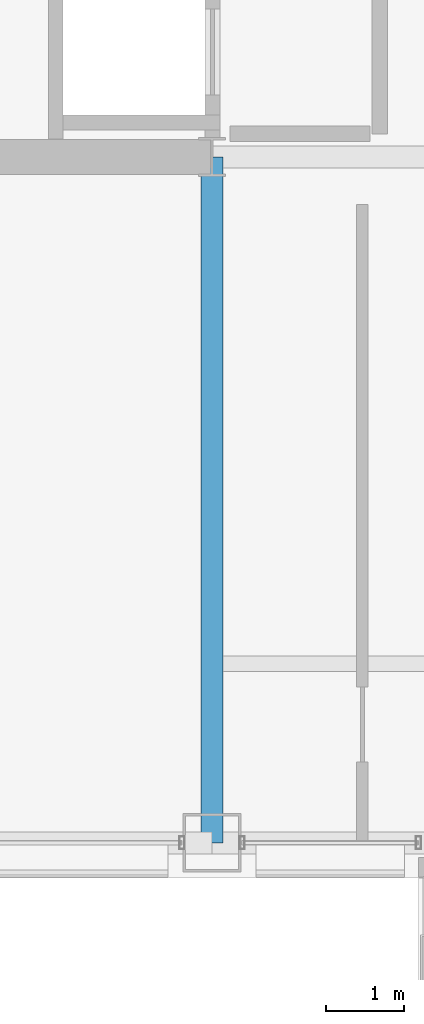
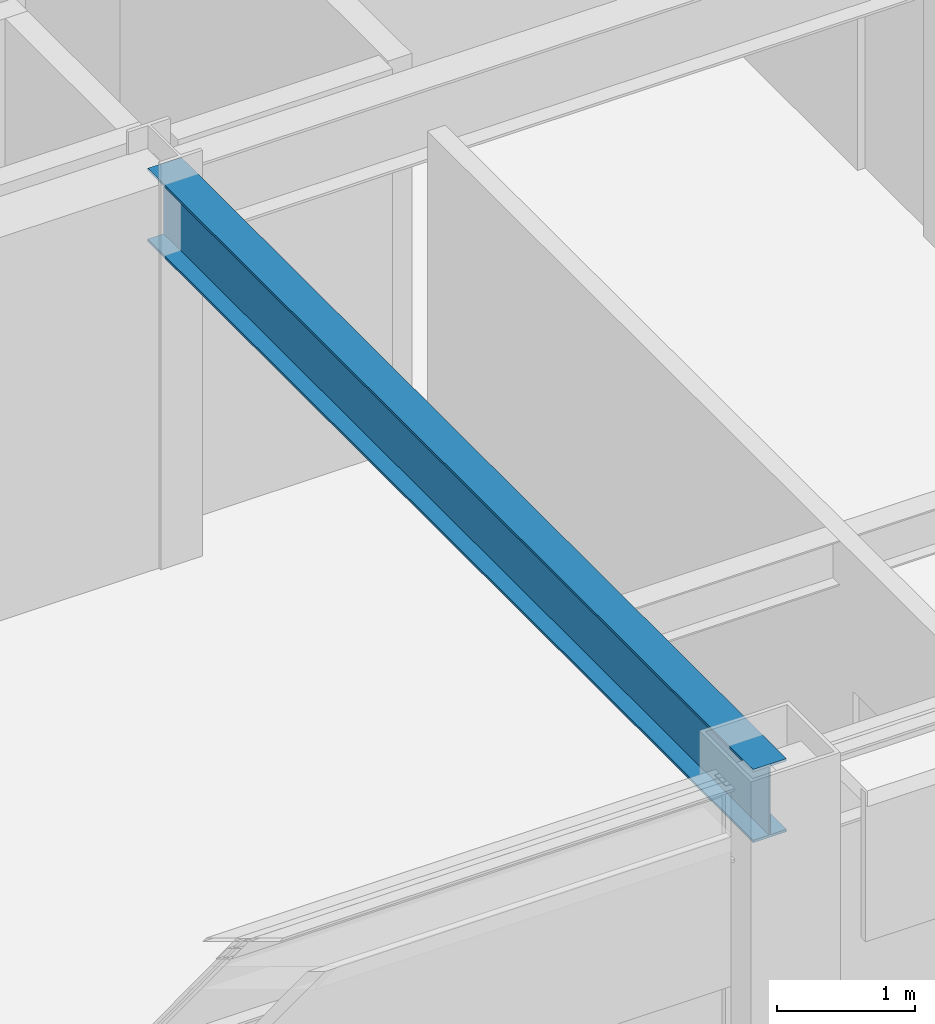
# One storey, part 3 of 31: 1 beam.
"""IFC4 building model written with IfcOpenShell, lengths in metres."""

from ifc_helpers import new_model, si_unit, direction, frame, origin, origin_2d, place, context, subcontext, project, spatial, i_section, extrude, material, material_profile, profile_set, type_object, element, save


model = new_model("IFC4")

# Units and contexts
model_context = context("Model", 3, precision=1e-05, world=origin(), true_north=direction((0.0, 1.0)))
body_context = subcontext(model_context, "Body", "Model", "MODEL_VIEW")
ifc_project = project(units=[si_unit("LENGTHUNIT", "METRE"), si_unit("AREAUNIT", "SQUARE_METRE"), si_unit("VOLUMEUNIT", "CUBIC_METRE"), si_unit("PLANEANGLEUNIT", "RADIAN"), si_unit("MASSUNIT", "GRAM", prefix="KILO")], contexts=[model_context])

# Site, building, storey
site_placement = place(None, origin())
site = spatial("IfcSite", under=ifc_project, at=site_placement, CompositionType="ELEMENT")
building_placement = place(site_placement, origin())
building = spatial("IfcBuilding", under=site, at=building_placement, Name="Brelmoor Portico Tower", CompositionType="ELEMENT")
storey_placement = place(building_placement, frame((0.0, 0.0, 176.699951171875)))
storey = spatial("IfcBuildingStorey", under=building, at=storey_placement, Name="L46", CompositionType="ELEMENT", Elevation=176.699951171875)

# Beam
ifc_material = material(Name="Steel Q355B", Category="steel")
ifc_material_profile = material_profile(ifc_material, i_section(OverallWidth=0.280029296875, OverallDepth=0.64990234375, WebThickness=0.012939453125, FlangeThickness=0.02197265625, at=origin_2d()), Name="HN 650x280x13x22")
ifc_profile_set = profile_set([ifc_material_profile], Name="Steel Q355B")
beam_type = type_object("IfcBeamType", Name="BM-PG-650", PredefinedType="BEAM", material=ifc_profile_set)
beam_placement = place(storey_placement, frame((-8.050048828125, -18.550048828125, 3.074951171875), z_axis=(0.0, 1.0, 0.0), x_axis=(-1.0, 0.0, 0.0)))
element("IfcBeam", 1, at=beam_placement, inside=storey, type_object=beam_type, Name="L46 Primary Floor Girder PG-03", PredefinedType="BEAM", context=body_context, shape_type="SweptSolid", body=[
    extrude(i_section(OverallWidth=0.280029296875, OverallDepth=0.64990234375, WebThickness=0.012939453125, FlangeThickness=0.02197265625, at=origin_2d()), origin(), (0.0, 0.0, 1.0), 8.800048828125),
])

save(model, "model.ifc")
